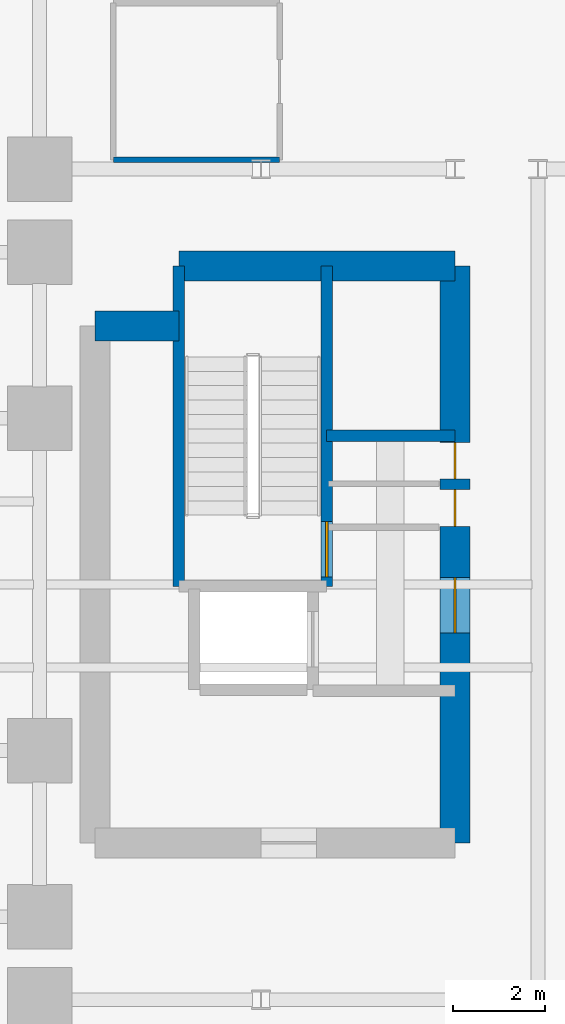
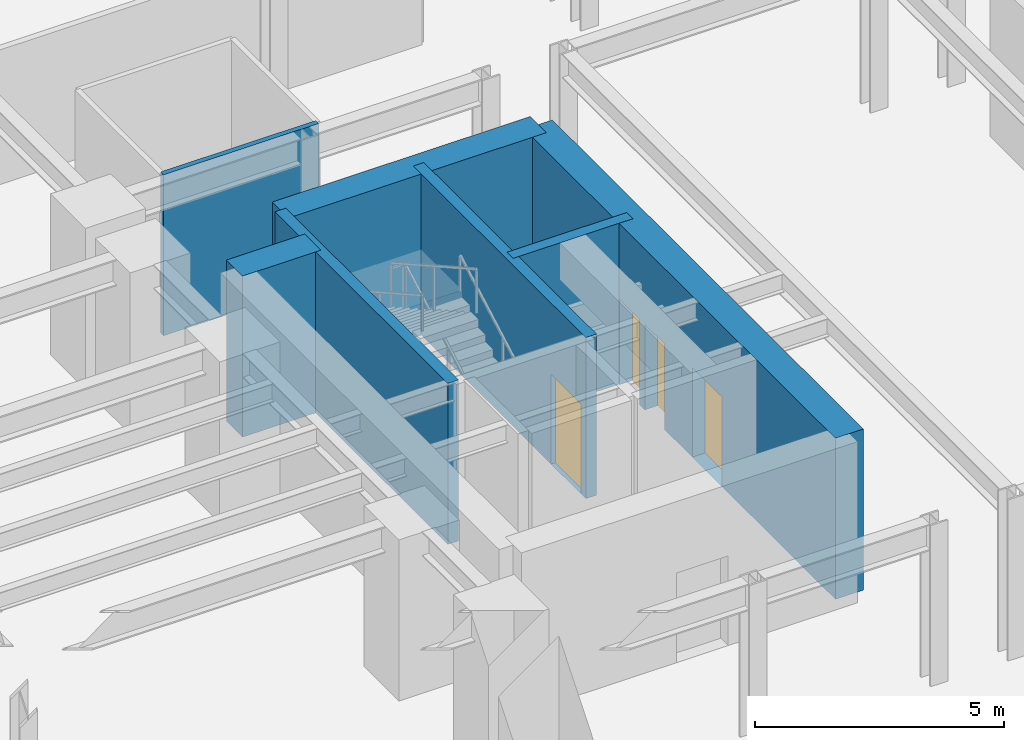
# One storey, part 5 of 9: 7 walls, 4 doors, 4 openings.
"""IFC4 building model written with IfcOpenShell, lengths in metres."""

from ifc_helpers import new_model, si_unit, direction, frame, frame_2d, origin, place, context, subcontext, project, spatial, rectangle, extrude, source, transform, mapped, material, layer, layer_set, type_object, element, fill, save


model = new_model("IFC4")

# Units and contexts
model_context = context("Model", 3, precision=1e-05, world=origin(), true_north=direction((0.0, 1.0)))
body_context = subcontext(model_context, "Body", "Model", "MODEL_VIEW")
ifc_project = project(units=[si_unit("LENGTHUNIT", "METRE"), si_unit("AREAUNIT", "SQUARE_METRE"), si_unit("VOLUMEUNIT", "CUBIC_METRE"), si_unit("PLANEANGLEUNIT", "RADIAN"), si_unit("MASSUNIT", "GRAM", prefix="KILO")], contexts=[model_context])

# Site, building, storey
site_placement = place(None, origin())
site = spatial("IfcSite", under=ifc_project, at=site_placement, CompositionType="ELEMENT")
building_placement = place(site_placement, origin())
building = spatial("IfcBuilding", under=site, at=building_placement, Name="Keilestroom Media Tower", CompositionType="ELEMENT")
storey_placement = place(building_placement, frame((0.0, 0.0, -4.199951171875)))
storey = spatial("IfcBuildingStorey", under=building, at=storey_placement, Name="B1", CompositionType="ELEMENT", Elevation=-4.199951171875)

# Wall
ifc_material_1 = material(Name="Gypsum Plasterboard & Steel Stud", Category="steel")
ifc_layer_1 = layer(ifc_material_1, 0.1201171875)
ifc_layer_set_1 = layer_set([ifc_layer_1], Name="Gypsum Plasterboard & Steel Stud")
wall_type_1 = type_object("IfcWallType", Name="Interior-Partition-Wall-120", PredefinedType="PARTITIONING", material=ifc_layer_set_1)
wall_1_placement = place(storey_placement, frame((-12.800048828125, 9.199951171875, 0.0), z_axis=(0.0, 0.0, 1.0), x_axis=(1.0, 0.0, 0.0)))
element("IfcWall", 1, at=wall_1_placement, inside=storey, type_object=wall_type_1, Name="B1 Interior Wall WP-B1-B1-SHWR-S", PredefinedType="PARTITIONING", context=body_context, shape_type="SweptSolid", body=[
    extrude(rectangle(XDim=3.60009765625, YDim=0.1201171875, at=frame_2d((1.800048828125, 0.0))), origin(), (0.0, 0.0, 1.0), 3.949951171875),
])

# Wall, openings, doors
ifc_material_2 = material(Name="Concrete C70/85", Category="concrete")
ifc_layer_2 = layer(ifc_material_2, 0.64990234375)
ifc_layer_set_2 = layer_set([ifc_layer_2], Name="Concrete C70/85")
wall_type_2 = type_object("IfcWallType", Name="Reinforced-Concrete-Core-Shear-Wall-650", PredefinedType="SHEAR", material=ifc_layer_set_2)
wall_2_placement = place(storey_placement, frame((-5.39990234375, -5.60009765625, 0.0), z_axis=(0.0, 0.0, 1.0), x_axis=(0.0, 1.0, 0.0)))
wall_2 = element("IfcWall", 2, at=wall_2_placement, inside=storey, type_object=wall_type_2, Name="B1 Core Shear Wall WL-B1-CORE-W-IN", PredefinedType="SHEAR", context=body_context, shape_type="SweptSolid", body=[
    extrude(rectangle(XDim=12.5, YDim=0.64990234375, at=frame_2d((6.25, 0.0))), origin(), (0.0, 0.0, 1.0), 3.949951171875),
])
opening_1_placement = place(wall_2_placement, frame((4.550048828125, 0.0, 0.0)))
opening_1 = element("IfcOpeningElement", 3, at=opening_1_placement, cuts=wall_2, Name="Opening DI-02", PredefinedType="OPENING", context=body_context, shape_type="SweptSolid", body=[
    extrude(rectangle(XDim=1.199951171875, YDim=2.199951171875, at=frame_2d((0.60009765625, 1.10009765625))), frame((0.0, 0.3349609375, 0.0), z_axis=(0.0, -1.0, 0.0), x_axis=(1.0, 0.0, 0.0)), (0.0, 0.0, 1.0), 0.669921875),
])
opening_2_placement = place(wall_2_placement, frame((6.860107421875, 0.0, 0.0)))
opening_2 = element("IfcOpeningElement", 4, at=opening_2_placement, cuts=wall_2, Name="Opening DI-06", PredefinedType="OPENING", context=body_context, shape_type="SweptSolid", body=[
    extrude(rectangle(XDim=0.800048828125, YDim=2.10009765625, at=frame_2d((0.39990234375, 1.050048828125))), frame((0.0, 0.3349609375, 0.0), z_axis=(0.0, -1.0, 0.0), x_axis=(1.0, 0.0, 0.0)), (0.0, 0.0, 1.0), 0.669921875),
])
opening_3_placement = place(wall_2_placement, frame((7.8798828125, 0.0, 0.0)))
opening_3 = element("IfcOpeningElement", 5, at=opening_3_placement, cuts=wall_2, Name="Opening DI-06", PredefinedType="OPENING", context=body_context, shape_type="SweptSolid", body=[
    extrude(rectangle(XDim=0.800048828125, YDim=2.10009765625, at=frame_2d((0.39990234375, 1.050048828125))), frame((0.0, 0.3349609375, 0.0), z_axis=(0.0, -1.0, 0.0), x_axis=(1.0, 0.0, 0.0)), (0.0, 0.0, 1.0), 0.669921875),
])
ifc_material_3 = material(Name="Powder-Coated Steel Fire Leaf", Category="steel")
door_type_1 = type_object("IfcDoorType", Name="Interior-Compartment-Fire-Door-DI-02", OperationType="NOTDEFINED", PredefinedType="DOOR", material=ifc_material_3)
shared_shape_1 = source(origin(), body_context, "Body", "SweptSolid", [
    extrude(rectangle(XDim=1.199951171875, YDim=2.199951171875, at=frame_2d((0.60009765625, 1.10009765625))), frame((0.0, 0.02490234375, 0.0), z_axis=(0.0, -1.0, 0.0), x_axis=(1.0, 0.0, 0.0)), (0.0, 0.0, 1.0), 0.050048828125),
])
door_1_placement = place(opening_1_placement, origin())
door_1 = element("IfcDoor", 6, at=door_1_placement, inside=storey, type_object=door_type_1, Name="B1 W Firefighting Lobby Door", OperationType="SINGLE_SWING_RIGHT", OverallHeight=2.199951171875, OverallWidth=1.199951171875, PredefinedType="DOOR", context=body_context, shape_type="MappedRepresentation", body=[
    mapped(shared_shape_1, transform((0.0, 0.0, 0.0), x_axis=(1.0, 0.0, 0.0), y_axis=(0.0, 1.0, 0.0), z_axis=(0.0, 0.0, 1.0), scale=1.0)),
])
fill(opening_1, door_1)
ifc_material_4 = material(Name="Powder-Coated Steel Service Leaf", Category="steel")
door_type_2 = type_object("IfcDoorType", Name="Interior-Riser-Access-Door-DI-06", OperationType="NOTDEFINED", PredefinedType="DOOR", material=ifc_material_4)
shared_shape_2 = source(origin(), body_context, "Body", "SweptSolid", [
    extrude(rectangle(XDim=0.800048828125, YDim=2.10009765625, at=frame_2d((0.39990234375, 1.050048828125))), frame((0.0, 0.02490234375, 0.0), z_axis=(0.0, -1.0, 0.0), x_axis=(1.0, 0.0, 0.0)), (0.0, 0.0, 1.0), 0.050048828125),
])
door_2_placement = place(opening_2_placement, origin())
door_2 = element("IfcDoor", 7, at=door_2_placement, inside=storey, type_object=door_type_2, Name="B1 West Core Switchroom Door", OperationType="SINGLE_SWING_LEFT", OverallHeight=2.10009765625, OverallWidth=0.800048828125, PredefinedType="DOOR", context=body_context, shape_type="MappedRepresentation", body=[
    mapped(shared_shape_2, transform((0.0, 0.0, 0.0), x_axis=(1.0, 0.0, 0.0), y_axis=(0.0, 1.0, 0.0), z_axis=(0.0, 0.0, 1.0), scale=1.0)),
])
fill(opening_2, door_2)
door_3_placement = place(opening_3_placement, origin())
door_3 = element("IfcDoor", 8, at=door_3_placement, inside=storey, type_object=door_type_2, Name="B1 West Core Closet Door", OperationType="SINGLE_SWING_LEFT", OverallHeight=2.10009765625, OverallWidth=0.800048828125, PredefinedType="DOOR", context=body_context, shape_type="MappedRepresentation", body=[
    mapped(shared_shape_2, transform((0.0, 0.0, 0.0), x_axis=(1.0, 0.0, 0.0), y_axis=(0.0, 1.0, 0.0), z_axis=(0.0, 0.0, 1.0), scale=1.0)),
])
fill(opening_3, door_3)

# Walls
wall_3_placement = place(storey_placement, frame((-11.381103515625, 6.89990234375, 0.0), z_axis=(0.0, 0.0, 1.0), x_axis=(1.0, 0.0, 0.0)))
element("IfcWall", 9, at=wall_3_placement, inside=storey, type_object=wall_type_2, Name="B1 Core Shear Wall WL-B1-CORE-W-N", PredefinedType="SHEAR", context=body_context, shape_type="SweptSolid", body=[
    extrude(rectangle(XDim=5.981201171875, YDim=0.64990234375, at=frame_2d((2.99072265625, 0.0))), origin(), (0.0, 0.0, 1.0), 3.949951171875),
])
wall_4_placement = place(storey_placement, frame((-13.199951171875, 5.60009765625, 0.0), z_axis=(0.0, 0.0, 1.0), x_axis=(1.0, 0.0, 0.0)))
element("IfcWall", 10, at=wall_4_placement, inside=storey, type_object=wall_type_2, Name="B1 Core Shear Wall WL-B1-CNW-N", PredefinedType="SHEAR", context=body_context, shape_type="SweptSolid", body=[
    extrude(rectangle(XDim=1.81884765625, YDim=0.64990234375, at=frame_2d((0.909423828125, 0.0))), origin(), (0.0, 0.0, 1.0), 3.949951171875),
])
ifc_material_5 = material(Name="Concrete C50/60", Category="concrete")
ifc_layer_3 = layer(ifc_material_5, 0.25)
ifc_layer_set_3 = layer_set([ifc_layer_3], Name="Concrete C50/60")
wall_type_3 = type_object("IfcWallType", Name="Reinforced-Concrete-Shaft-Wall-250", PredefinedType="SOLIDWALL", material=ifc_layer_set_3)
wall_5_placement = place(storey_placement, frame((-8.179931640625, 3.219970703125, 0.0), z_axis=(0.0, 0.0, 1.0), x_axis=(1.0, 0.0, 0.0)))
element("IfcWall", 11, at=wall_5_placement, inside=storey, type_object=wall_type_3, Name="B1 Core Shear Wall WL-B1-CORE-W-FFN", PredefinedType="SOLIDWALL", context=body_context, shape_type="SweptSolid", body=[
    extrude(rectangle(XDim=2.780029296875, YDim=0.25, at=frame_2d((1.39013671875, 0.0))), origin(), (0.0, 0.0, 1.0), 3.949951171875),
])

# Wall, opening, door
wall_6_placement = place(storey_placement, frame((-8.178955078125, -0.041015625, 0.0), z_axis=(0.0, 0.0, 1.0), x_axis=(0.0, 1.0, 0.0)))
wall_6 = element("IfcWall", 12, at=wall_6_placement, inside=storey, type_object=wall_type_3, Name="B1 Core Shear Wall WL-B1-STW-W-NEAR", PredefinedType="SOLIDWALL", context=body_context, shape_type="SweptSolid", body=[
    extrude(rectangle(XDim=6.94091796875, YDim=0.25, at=frame_2d((3.470458984375, 0.0))), origin(), (0.0, 0.0, 1.0), 3.949951171875),
])
opening_4_placement = place(wall_6_placement, frame((0.199951171875, 0.0, 0.0)))
opening_4 = element("IfcOpeningElement", 13, at=opening_4_placement, cuts=wall_6, Name="Opening DI-01S", PredefinedType="OPENING", context=body_context, shape_type="SweptSolid", body=[
    extrude(rectangle(XDim=1.199951171875, YDim=2.199951171875, at=frame_2d((0.60009765625, 1.10009765625))), frame((0.0, 0.135009765625, 0.0), z_axis=(0.0, -1.0, 0.0), x_axis=(1.0, 0.0, 0.0)), (0.0, 0.0, 1.0), 0.27001953125),
])
door_type_3 = type_object("IfcDoorType", Name="Interior-Stair-And-Core-Fire-Door-DI-01", OperationType="NOTDEFINED", PredefinedType="DOOR", material=ifc_material_3)
door_4_placement = place(opening_4_placement, origin())
door_4 = element("IfcDoor", 14, at=door_4_placement, inside=storey, type_object=door_type_3, Name="B1 Escape Stair ST-1 Fire Door", OperationType="SINGLE_SWING_LEFT", OverallHeight=2.199951171875, OverallWidth=1.199951171875, PredefinedType="DOOR", context=body_context, shape_type="MappedRepresentation", body=[
    mapped(shared_shape_1, transform((0.0, 0.0, 0.0), x_axis=(1.0, 0.0, 0.0), y_axis=(0.0, 1.0, 0.0), z_axis=(0.0, 0.0, 1.0), scale=1.0)),
])
fill(opening_4, door_4)

# Wall
wall_7_placement = place(storey_placement, frame((-11.381103515625, -0.041015625, 0.0), z_axis=(0.0, 0.0, 1.0), x_axis=(0.0, 1.0, 0.0)))
element("IfcWall", 15, at=wall_7_placement, inside=storey, type_object=wall_type_3, Name="B1 Core Shear Wall WL-B1-STW-W-FAR", PredefinedType="SOLIDWALL", context=body_context, shape_type="SweptSolid", body=[
    extrude(rectangle(XDim=6.94091796875, YDim=0.25, at=frame_2d((3.470458984375, 0.0))), origin(), (0.0, 0.0, 1.0), 3.949951171875),
])

save(model, "model.ifc")
